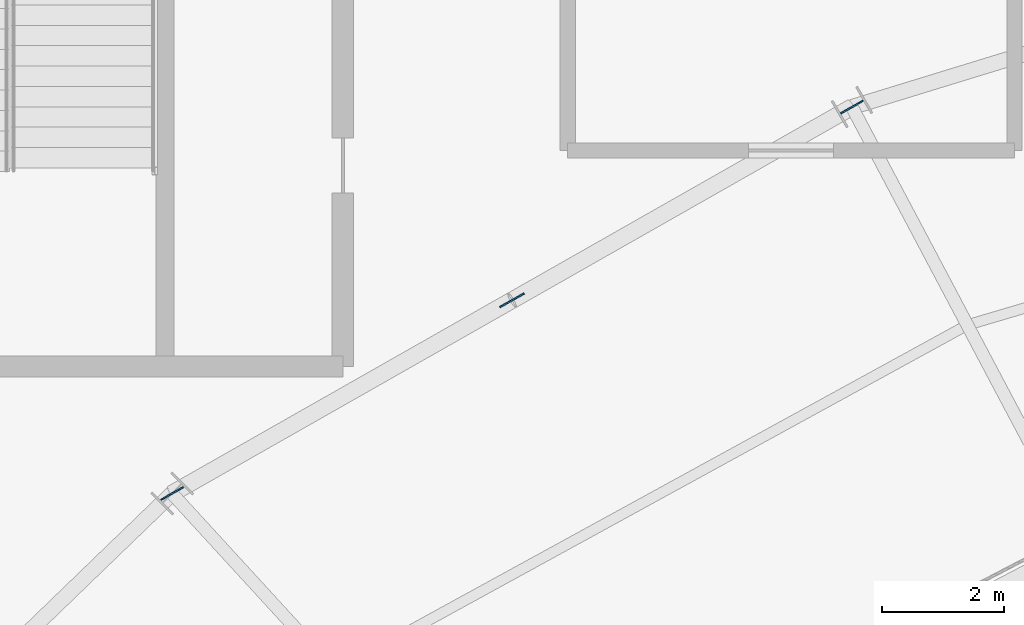
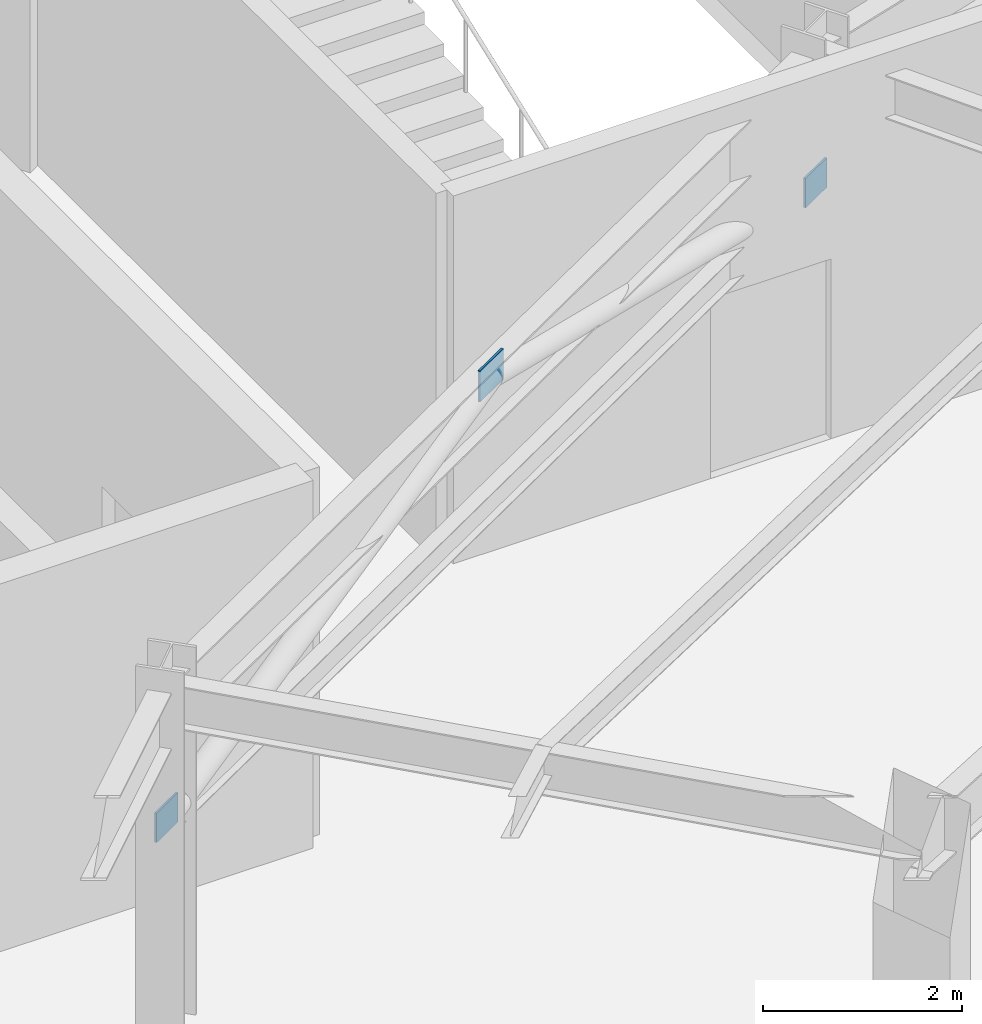
# One storey, part 70 of 107: 3 plates.
"""IFC4 building model written with IfcOpenShell, lengths in metres."""

from ifc_helpers import new_model, si_unit, direction, frame, origin, origin_2d, place, context, subcontext, project, spatial, rectangle, extrude, material, layer, layer_set, type_object, element, save


model = new_model("IFC4")

# Units and contexts
model_context = context("Model", 3, precision=1e-05, world=origin(), true_north=direction((0.0, 1.0)))
body_context = subcontext(model_context, "Body", "Model", "MODEL_VIEW")
ifc_project = project(units=[si_unit("LENGTHUNIT", "METRE"), si_unit("AREAUNIT", "SQUARE_METRE"), si_unit("VOLUMEUNIT", "CUBIC_METRE"), si_unit("PLANEANGLEUNIT", "RADIAN"), si_unit("MASSUNIT", "GRAM", prefix="KILO")], contexts=[model_context])

# Site, building, storey
site_placement = place(None, origin())
site = spatial("IfcSite", under=ifc_project, at=site_placement, CompositionType="ELEMENT")
building_placement = place(site_placement, origin())
building = spatial("IfcBuilding", under=site, at=building_placement, Name="Kalgoora Escarpment Arena", CompositionType="ELEMENT")
storey_placement = place(building_placement, frame((0.0, 0.0, 5.39990234375)))
storey = spatial("IfcBuildingStorey", under=building, at=storey_placement, Name="L01", CompositionType="ELEMENT", Elevation=5.39990234375)

# Plates
ifc_material = material(Name="Structural steel Grade 350 (350 MPa)", Category="steel")
ifc_layer = layer(ifc_material, 0.02490234375)
ifc_layer_set = layer_set([ifc_layer], Name="PLT-GUSSET-25")
plate_type = type_object("IfcPlateType", Name="PLT-GUSSET-25", PredefinedType="USERDEFINED", material=ifc_layer_set)
plate_placement = place(storey_placement, frame((59.80810546875, 95.462646484375, 3.860107421875), z_axis=(0.0, 0.0, 1.0), x_axis=(-0.869408707144, -0.494093614554, 0.0)))
element("IfcPlate", 1, at=plate_placement, inside=storey, type_object=plate_type, Name="L01 chevron gusset cap plate R09", ObjectType="FLANGE PLATE", PredefinedType="USERDEFINED", context=body_context, shape_type="SweptSolid", body=[
    extrude(rectangle(XDim=0.4599609375, YDim=0.02490234375, at=origin_2d()), origin(), (0.0, 0.0, 1.0), 0.3798828125),
])
for number, where, z_axis, x_axis, name in (
    (2, (65.39990234375, 98.64111328125, 2.33984375), (0.0, 0.0, 1.0), (-0.869494929505, -0.493941866584, 0.0), "Brace and post end gusset plate 011"),
    (3, (54.21630859375, 92.2841796875, 2.33984375), (0.0, 0.0, 1.0), (0.869494929505, 0.493941866584, 0.0), "Brace and post end gusset plate 012"),
):
    element("IfcPlate", number, at=place(storey_placement, frame(where, z_axis=z_axis, x_axis=x_axis)), inside=storey, type_object=plate_type, Name=name, ObjectType="FLANGE PLATE", PredefinedType="USERDEFINED", context=body_context, shape_type="SweptSolid", body=[
        extrude(rectangle(XDim=0.419921875, YDim=0.02490234375, at=origin_2d()), origin(), (0.0, 0.0, 1.0), 0.360107421875),
    ])

save(model, "model.ifc")
